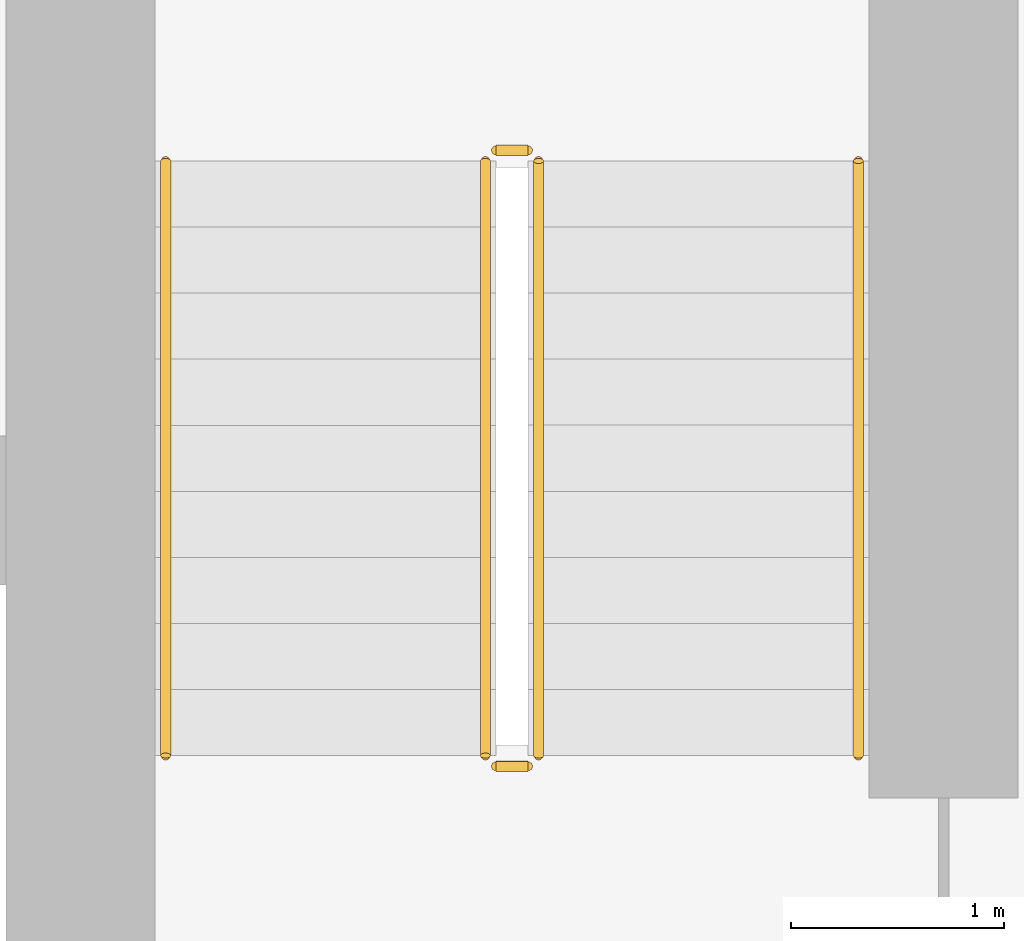
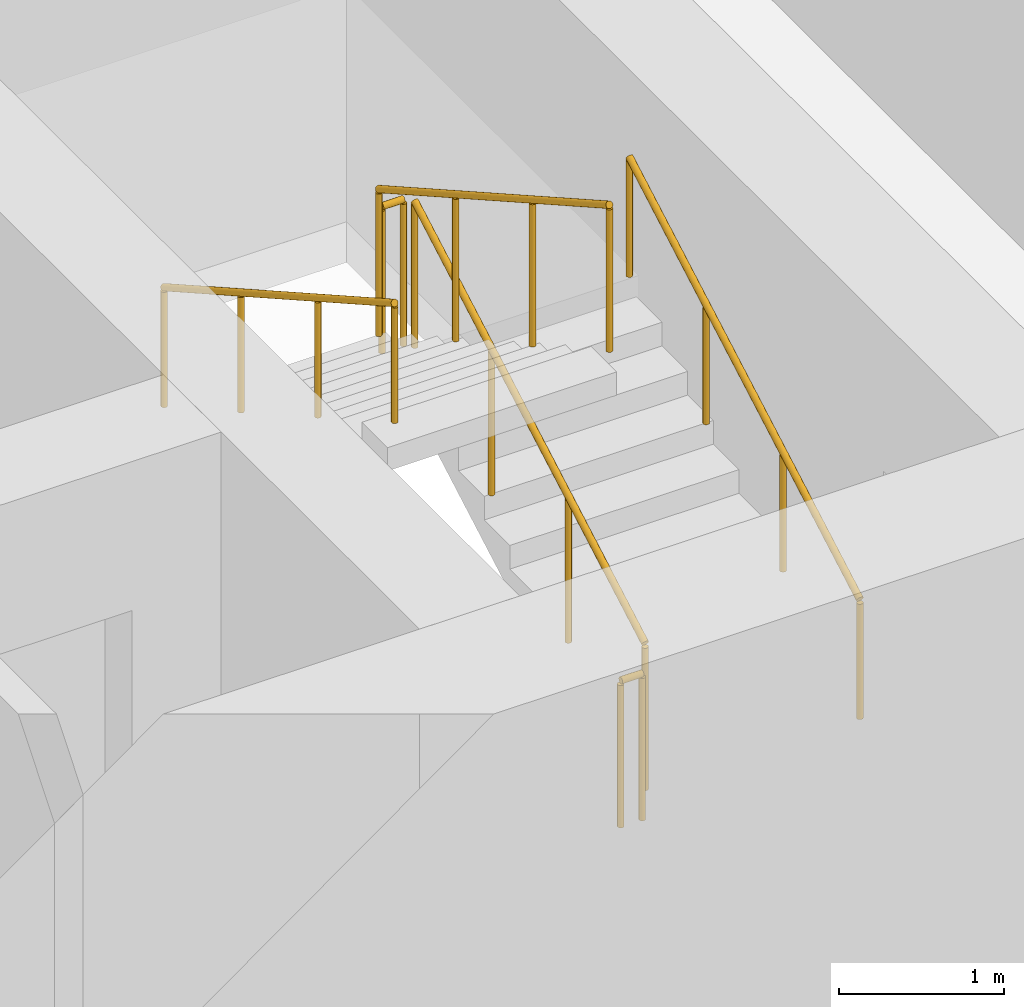
# One storey, part 19 of 21: 6 railings.
"""IFC4 building model written with IfcOpenShell, lengths in metres."""

from ifc_helpers import new_model, si_unit, direction, frame, origin, origin_2d, place, context, subcontext, project, spatial, circle, extrude, material, type_object, element, save


model = new_model("IFC4")

# Units and contexts
model_context = context("Model", 3, precision=1e-05, world=origin(), true_north=direction((0.0, 1.0)))
body_context = subcontext(model_context, "Body", "Model", "MODEL_VIEW")
ifc_project = project(units=[si_unit("LENGTHUNIT", "METRE"), si_unit("AREAUNIT", "SQUARE_METRE"), si_unit("VOLUMEUNIT", "CUBIC_METRE"), si_unit("PLANEANGLEUNIT", "RADIAN"), si_unit("MASSUNIT", "GRAM", prefix="KILO")], contexts=[model_context])

# Site, building, storey
site_placement = place(None, origin())
site = spatial("IfcSite", under=ifc_project, at=site_placement, CompositionType="ELEMENT")
building_placement = place(site_placement, origin())
building = spatial("IfcBuilding", under=site, at=building_placement, Name="Madar Terraces", CompositionType="ELEMENT")
storey_placement = place(building_placement, frame((0.0, 0.0, 29.39990234375)))
storey = spatial("IfcBuildingStorey", under=building, at=storey_placement, Name="L06", CompositionType="ELEMENT", Elevation=29.39990234375)

# Railings
ifc_material_1 = material(Name="Stainless steel railing", Category="steel")
railing_type_1 = type_object("IfcRailingType", Name="Stair guard 1100", PredefinedType="GUARDRAIL", material=ifc_material_1)
railing_1_placement = place(storey_placement, frame((41.449951171875, 17.60009765625, 0.175048828125)))
element("IfcRailing", 1, at=railing_1_placement, inside=storey, type_object=railing_type_1, Name="L06 ST3 stair guard 1", PredefinedType="GUARDRAIL", context=body_context, shape_type="SweptSolid", body=[
    extrude(circle(Radius=0.02392578125, at=origin_2d()), frame((0.0, 0.0, 1.076171875), z_axis=(0.0, 0.870815363784, 0.491610213684), x_axis=(-1.0, 0.0, 0.0)), (0.0, 0.0, 1.0), 3.20361328125),
    extrude(circle(Radius=0.02099609375, at=origin_2d()), origin(), (0.0, 0.0, 1.0), 1.052001953125),
    extrude(circle(Radius=0.02099609375, at=origin_2d()), frame((0.0, 0.929931640625, 0.52490234375)), (0.0, 0.0, 1.0), 1.052001953125),
    extrude(circle(Radius=0.02099609375, at=origin_2d()), frame((0.0, 1.85986328125, 1.050048828125)), (0.0, 0.0, 1.0), 1.052001953125),
    extrude(circle(Radius=0.02099609375, at=origin_2d()), frame((0.0, 2.789794921875, 1.574951171875)), (0.0, 0.0, 1.0), 1.052001953125),
])
railing_2_placement = place(storey_placement, frame((41.39990234375, 20.43994140625, 1.75)))
element("IfcRailing", 2, at=railing_2_placement, inside=storey, type_object=railing_type_1, Name="L06 ST3 stair guard 2", PredefinedType="GUARDRAIL", context=body_context, shape_type="SweptSolid", body=[
    extrude(circle(Radius=0.02392578125, at=origin_2d()), frame((0.0, 0.0, 1.076171875), z_axis=(-1.0, 0.0, 0.0), x_axis=(0.0, -1.0, 0.0)), (0.0, 0.0, 1.0), 0.14990234375),
    extrude(circle(Radius=0.02099609375, at=origin_2d()), origin(), (0.0, 0.0, 1.0), 1.052001953125),
    extrude(circle(Radius=0.02099609375, at=origin_2d()), frame((-0.14990234375, 0.0, 0.0)), (0.0, 0.0, 1.0), 1.052001953125),
])
railing_3_placement = place(storey_placement, frame((41.199951171875, 20.389892578125, 1.925048828125)))
element("IfcRailing", 3, at=railing_3_placement, inside=storey, type_object=railing_type_1, Name="L06 ST3 stair guard 3", PredefinedType="GUARDRAIL", context=body_context, shape_type="SweptSolid", body=[
    extrude(circle(Radius=0.02392578125, at=origin_2d()), frame((0.0, 0.0, 1.076171875), z_axis=(0.0, -0.870815363784, 0.491610213684), x_axis=(1.0, 0.0, 0.0)), (0.0, 0.0, 1.0), 3.20361328125),
    extrude(circle(Radius=0.02099609375, at=origin_2d()), origin(), (0.0, 0.0, 1.0), 1.052001953125),
    extrude(circle(Radius=0.02099609375, at=origin_2d()), frame((0.0, -0.929931640625, 0.52490234375)), (0.0, 0.0, 1.0), 1.052001953125),
    extrude(circle(Radius=0.02099609375, at=origin_2d()), frame((0.0, -1.85986328125, 1.050048828125)), (0.0, 0.0, 1.0), 1.052001953125),
    extrude(circle(Radius=0.02099609375, at=origin_2d()), frame((0.0, -2.789794921875, 1.574951171875)), (0.0, 0.0, 1.0), 1.052001953125),
])
railing_4_placement = place(storey_placement, frame((41.39990234375, 17.550048828125, 0.0)))
element("IfcRailing", 4, at=railing_4_placement, inside=storey, type_object=railing_type_1, Name="L06 ST3 stair guard 4", PredefinedType="GUARDRAIL", context=body_context, shape_type="SweptSolid", body=[
    extrude(circle(Radius=0.02392578125, at=origin_2d()), frame((0.0, 0.0, 1.076171875), z_axis=(-1.0, 0.0, 0.0), x_axis=(0.0, -1.0, 0.0)), (0.0, 0.0, 1.0), 0.14990234375),
    extrude(circle(Radius=0.02099609375, at=origin_2d()), origin(), (0.0, 0.0, 1.0), 1.052001953125),
    extrude(circle(Radius=0.02099609375, at=origin_2d()), frame((-0.14990234375, 0.0, 0.0)), (0.0, 0.0, 1.0), 1.052001953125),
])
ifc_material_2 = material(Name="Stainless steel railing", Category="steel")
railing_type_2 = type_object("IfcRailingType", Name="Stair handrail 900", PredefinedType="HANDRAIL", material=ifc_material_2)
railing_5_placement = place(storey_placement, frame((42.949951171875, 17.60009765625, 0.175048828125)))
element("IfcRailing", 5, at=railing_5_placement, inside=storey, type_object=railing_type_2, Name="L06 ST3 stair handrail 1", PredefinedType="HANDRAIL", context=body_context, shape_type="SweptSolid", body=[
    extrude(circle(Radius=0.02392578125, at=origin_2d()), frame((0.0, 0.0, 0.8759765625), z_axis=(0.0, 0.870815363784, 0.491610213684), x_axis=(-1.0, 0.0, 0.0)), (0.0, 0.0, 1.0), 3.20361328125),
    extrude(circle(Radius=0.02099609375, at=origin_2d()), origin(), (0.0, 0.0, 1.0), 0.851806640625),
    extrude(circle(Radius=0.02099609375, at=origin_2d()), frame((0.0, 0.929931640625, 0.52490234375)), (0.0, 0.0, 1.0), 0.851806640625),
    extrude(circle(Radius=0.02099609375, at=origin_2d()), frame((0.0, 1.85986328125, 1.050048828125)), (0.0, 0.0, 1.0), 0.851806640625),
    extrude(circle(Radius=0.02099609375, at=origin_2d()), frame((0.0, 2.789794921875, 1.574951171875)), (0.0, 0.0, 1.0), 0.851806640625),
])
railing_6_placement = place(storey_placement, frame((39.699951171875, 20.389892578125, 1.925048828125)))
element("IfcRailing", 6, at=railing_6_placement, inside=storey, type_object=railing_type_2, Name="L06 ST3 stair handrail 2", PredefinedType="HANDRAIL", context=body_context, shape_type="SweptSolid", body=[
    extrude(circle(Radius=0.02392578125, at=origin_2d()), frame((0.0, 0.0, 0.8759765625), z_axis=(0.0, -0.870815363784, 0.491610213684), x_axis=(1.0, 0.0, 0.0)), (0.0, 0.0, 1.0), 3.20361328125),
    extrude(circle(Radius=0.02099609375, at=origin_2d()), origin(), (0.0, 0.0, 1.0), 0.851806640625),
    extrude(circle(Radius=0.02099609375, at=origin_2d()), frame((0.0, -0.929931640625, 0.52490234375)), (0.0, 0.0, 1.0), 0.851806640625),
    extrude(circle(Radius=0.02099609375, at=origin_2d()), frame((0.0, -1.85986328125, 1.050048828125)), (0.0, 0.0, 1.0), 0.851806640625),
    extrude(circle(Radius=0.02099609375, at=origin_2d()), frame((0.0, -2.789794921875, 1.574951171875)), (0.0, 0.0, 1.0), 0.851806640625),
])

save(model, "model.ifc")
